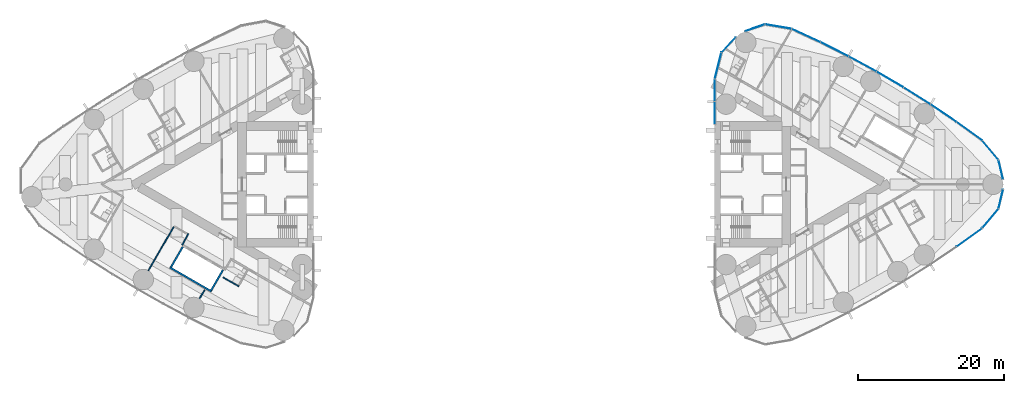
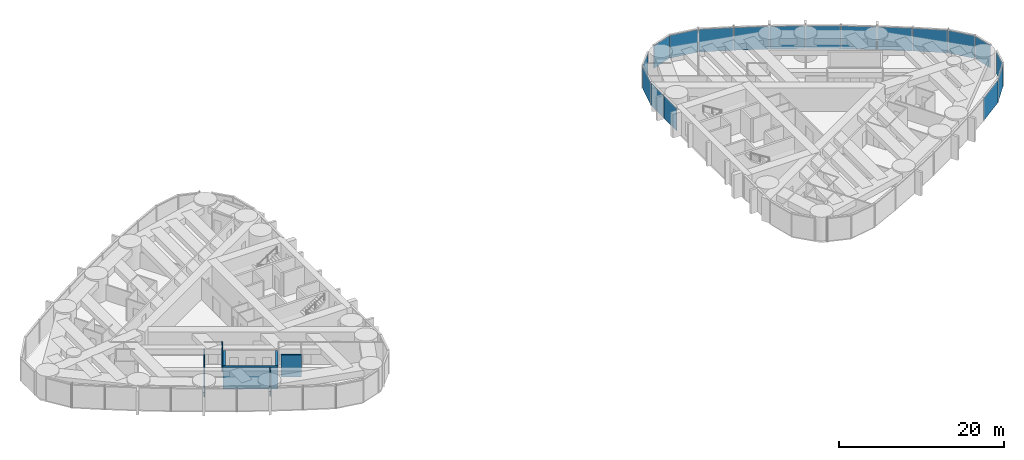
# One storey, part 11 of 19: 18 plates, 7 walls, 3 elements without a shape of their own.
"""IFC4 building model written with IfcOpenShell, lengths in metres."""

from ifc_helpers import new_model, si_unit, direction, frame, frame_2d, origin, origin_2d, place, context, subcontext, project, spatial, rectangle, extrude, material, layer, layer_set, type_object, element, aggregate, save


model = new_model("IFC4")

# Units and contexts
model_context = context("Model", 3, precision=1e-05, world=origin(), true_north=direction((0.0, 1.0)))
body_context = subcontext(model_context, "Body", "Model", "MODEL_VIEW")
ifc_project = project(units=[si_unit("LENGTHUNIT", "METRE"), si_unit("AREAUNIT", "SQUARE_METRE"), si_unit("VOLUMEUNIT", "CUBIC_METRE"), si_unit("PLANEANGLEUNIT", "RADIAN"), si_unit("MASSUNIT", "GRAM", prefix="KILO")], contexts=[model_context])

# Site, building, storey
site_placement = place(None, origin())
site = spatial("IfcSite", under=ifc_project, at=site_placement, CompositionType="ELEMENT")
building_placement = place(site_placement, origin())
building = spatial("IfcBuilding", under=site, at=building_placement, Name="Lancet Gate Hotel", CompositionType="ELEMENT")
storey_placement = place(building_placement, frame((0.0, 0.0, 170.300048828125)))
storey = spatial("IfcBuildingStorey", under=building, at=storey_placement, Name="L45", CompositionType="ELEMENT", Elevation=170.300048828125)

# Curtain wall, plates
ifc_material_1 = material(Name="Aluminium curtain wall", Category="aluminium")
curtain_wall_type = type_object("IfcCurtainWallType", Name="Tower unitised curtain wall", PredefinedType="USERDEFINED", material=ifc_material_1)
curtain_wall_1_placement = place(storey_placement, origin())
curtain_wall_1 = element("IfcCurtainWall", 1, at=curtain_wall_1_placement, inside=storey, type_object=curtain_wall_type, Name="T2 L45 curtain wall 2", ObjectType="UNITISED CURTAIN WALL", PredefinedType="USERDEFINED")
ifc_material_2 = material(Name="Glass double glazed unit 8-16-6", Category="glass")
ifc_layer_1 = layer(ifc_material_2, 0.030029296875)
ifc_layer_set_1 = layer_set([ifc_layer_1], Name="Vision panel double glazed")
plate_type = type_object("IfcPlateType", Name="Vision panel double glazed", PredefinedType="CURTAIN_PANEL", material=ifc_layer_set_1)
plate_1_placement = place(storey_placement, frame((62.417236328125, -7.279541015625, 0.0), z_axis=(0.0, 0.0, 1.0), x_axis=(0.810891442127, 0.585196607206, 0.0)))
plate_1 = element("IfcPlate", 2, at=plate_1_placement, type_object=plate_type, Name="T2 L45 curtain wall 2 panel 9", PredefinedType="CURTAIN_PANEL", context=body_context, shape_type="SweptSolid", body=[
    extrude(rectangle(XDim=4.26904296875, YDim=0.030029296875, at=origin_2d()), origin(), (0.0, 0.0, 1.0), 3.35009765625),
])
plate_2_placement = place(storey_placement, frame((65.283935546875, -4.68701171875, 0.0), z_axis=(0.0, 0.0, 1.0), x_axis=(0.642198636854, 0.766538264422, 0.0)))
plate_2 = element("IfcPlate", 3, at=plate_2_placement, type_object=plate_type, Name="T2 L45 curtain wall 2 panel 10", PredefinedType="CURTAIN_PANEL", context=body_context, shape_type="SweptSolid", body=[
    extrude(rectangle(XDim=3.390380859375, YDim=0.030029296875, at=origin_2d()), origin(), (0.0, 0.0, 1.0), 3.35009765625),
])
plate_3_placement = place(storey_placement, frame((66.710693359375, -2.0234375, 0.0), z_axis=(0.0, 0.0, 1.0), x_axis=(0.230366568544, 0.973103922558, 0.0)))
plate_3 = element("IfcPlate", 4, at=plate_3_placement, type_object=plate_type, Name="T2 L45 curtain wall 2 panel 11", PredefinedType="CURTAIN_PANEL", context=body_context, shape_type="SweptSolid", body=[
    extrude(rectangle(XDim=2.687255859375, YDim=0.030029296875, at=origin_2d()), origin(), (0.0, 0.0, 1.0), 3.35009765625),
])
aggregate(curtain_wall_1, [plate_1, plate_2, plate_3])

curtain_wall_2_placement = place(storey_placement, origin())
curtain_wall_2 = element("IfcCurtainWall", 5, at=curtain_wall_2_placement, inside=storey, type_object=curtain_wall_type, Name="T2 L45 curtain wall 3", ObjectType="UNITISED CURTAIN WALL", PredefinedType="USERDEFINED")
plate_4_placement = place(storey_placement, frame((66.710693359375, 2.0234375, 0.0), z_axis=(0.0, 0.0, 1.0), x_axis=(-0.230366568544, 0.973103922558, 0.0)))
plate_4 = element("IfcPlate", 6, at=plate_4_placement, type_object=plate_type, Name="T2 L45 curtain wall 3 panel 1", PredefinedType="CURTAIN_PANEL", context=body_context, shape_type="SweptSolid", body=[
    extrude(rectangle(XDim=2.687255859375, YDim=0.030029296875, at=origin_2d()), origin(), (0.0, 0.0, 1.0), 3.35009765625),
])
plate_5_placement = place(storey_placement, frame((65.283935546875, 4.68701171875, 0.0), z_axis=(0.0, 0.0, 1.0), x_axis=(-0.642198636854, 0.766538264422, 0.0)))
plate_5 = element("IfcPlate", 7, at=plate_5_placement, type_object=plate_type, Name="T2 L45 curtain wall 3 panel 2", PredefinedType="CURTAIN_PANEL", context=body_context, shape_type="SweptSolid", body=[
    extrude(rectangle(XDim=3.390380859375, YDim=0.030029296875, at=origin_2d()), origin(), (0.0, 0.0, 1.0), 3.35009765625),
])
plate_6_placement = place(storey_placement, frame((62.417236328125, 7.279541015625, 0.0), z_axis=(0.0, 0.0, 1.0), x_axis=(-0.810891442127, 0.585196607206, 0.0)))
plate_6 = element("IfcPlate", 8, at=plate_6_placement, type_object=plate_type, Name="T2 L45 curtain wall 3 panel 3", PredefinedType="CURTAIN_PANEL", context=body_context, shape_type="SweptSolid", body=[
    extrude(rectangle(XDim=4.26904296875, YDim=0.030029296875, at=origin_2d()), origin(), (0.0, 0.0, 1.0), 3.35009765625),
])
plate_7_placement = place(storey_placement, frame((58.863525390625, 9.75927734375, 0.0), z_axis=(0.0, 0.0, 1.0), x_axis=(-0.829038793948, 0.559191092677, 0.0)))
plate_7 = element("IfcPlate", 9, at=plate_7_placement, type_object=plate_type, Name="T2 L45 curtain wall 3 panel 4", PredefinedType="CURTAIN_PANEL", context=body_context, shape_type="SweptSolid", body=[
    extrude(rectangle(XDim=4.26904296875, YDim=0.030029296875, at=origin_2d()), origin(), (0.0, 0.0, 1.0), 3.35009765625),
])
plate_8_placement = place(storey_placement, frame((55.233154296875, 12.125244140625, 0.0), z_axis=(0.0, 0.0, 1.0), x_axis=(-0.846352453444, 0.532623248225, 0.0)))
plate_8 = element("IfcPlate", 10, at=plate_8_placement, type_object=plate_type, Name="T2 L45 curtain wall 3 panel 5", PredefinedType="CURTAIN_PANEL", context=body_context, shape_type="SweptSolid", body=[
    extrude(rectangle(XDim=4.26904296875, YDim=0.030029296875, at=origin_2d()), origin(), (0.0, 0.0, 1.0), 3.35009765625),
])
plate_9_placement = place(storey_placement, frame((51.529296875, 14.374755859375, 0.0), z_axis=(0.0, 0.0, 1.0), x_axis=(-0.862815009772, 0.505519790822, 0.0)))
plate_9 = element("IfcPlate", 11, at=plate_9_placement, type_object=plate_type, Name="T2 L45 curtain wall 3 panel 6", PredefinedType="CURTAIN_PANEL", context=body_context, shape_type="SweptSolid", body=[
    extrude(rectangle(XDim=4.26904296875, YDim=0.030029296875, at=origin_2d()), origin(), (0.0, 0.0, 1.0), 3.35009765625),
])
plate_10_placement = place(storey_placement, frame((47.756103515625, 16.505859375, 0.0), z_axis=(0.0, 0.0, 1.0), x_axis=(-0.878409907967, 0.477907976063, 0.0)))
plate_10 = element("IfcPlate", 12, at=plate_10_placement, type_object=plate_type, Name="T2 L45 curtain wall 3 panel 7", PredefinedType="CURTAIN_PANEL", context=body_context, shape_type="SweptSolid", body=[
    extrude(rectangle(XDim=4.26904296875, YDim=0.030029296875, at=origin_2d()), origin(), (0.0, 0.0, 1.0), 3.35009765625),
])
plate_11_placement = place(storey_placement, frame((43.917236328125, 18.516357421875, 0.0), z_axis=(0.0, 0.0, 1.0), x_axis=(-0.893121465596, 0.449815570752, 0.0)))
plate_11 = element("IfcPlate", 13, at=plate_11_placement, type_object=plate_type, Name="T2 L45 curtain wall 3 panel 8", PredefinedType="CURTAIN_PANEL", context=body_context, shape_type="SweptSolid", body=[
    extrude(rectangle(XDim=4.26904296875, YDim=0.030029296875, at=origin_2d()), origin(), (0.0, 0.0, 1.0), 3.35009765625),
])
plate_12_placement = place(storey_placement, frame((40.0166015625, 20.40380859375, 0.0), z_axis=(0.0, 0.0, 1.0), x_axis=(-0.906934888522, 0.421270824982, 0.0)))
plate_12 = element("IfcPlate", 14, at=plate_12_placement, type_object=plate_type, Name="T2 L45 curtain wall 3 panel 9", PredefinedType="CURTAIN_PANEL", context=body_context, shape_type="SweptSolid", body=[
    extrude(rectangle(XDim=4.26904296875, YDim=0.030029296875, at=origin_2d()), origin(), (0.0, 0.0, 1.0), 3.35009765625),
])
plate_13_placement = place(storey_placement, frame((36.231689453125, 21.629638671875, 0.0), z_axis=(0.0, 0.0, 1.0), x_axis=(-0.985539649572, 0.169444973729, 0.0)))
plate_13 = element("IfcPlate", 15, at=plate_13_placement, type_object=plate_type, Name="T2 L45 curtain wall 3 panel 10", PredefinedType="CURTAIN_PANEL", context=body_context, shape_type="SweptSolid", body=[
    extrude(rectangle(XDim=3.62744140625, YDim=0.030029296875, at=origin_2d()), origin(), (0.0, 0.0, 1.0), 3.35009765625),
])
plate_14_placement = place(storey_placement, frame((33.02197265625, 21.470703125, 0.0), z_axis=(0.0, 0.0, 1.0), x_axis=(-0.946952368511, -0.321373943827, 0.0)))
plate_14 = element("IfcPlate", 16, at=plate_14_placement, type_object=plate_type, Name="T2 L45 curtain wall 3 panel 11", PredefinedType="CURTAIN_PANEL", context=body_context, shape_type="SweptSolid", body=[
    extrude(rectangle(XDim=2.871337890625, YDim=0.030029296875, at=origin_2d()), origin(), (0.0, 0.0, 1.0), 3.35009765625),
])
aggregate(curtain_wall_2, [plate_4, plate_5, plate_6, plate_7, plate_8, plate_9, plate_10, plate_11, plate_12, plate_13, plate_14])

curtain_wall_3_placement = place(storey_placement, origin())
curtain_wall_3 = element("IfcCurtainWall", 17, at=curtain_wall_3_placement, inside=storey, type_object=curtain_wall_type, Name="T2 L45 curtain wall 4", ObjectType="UNITISED CURTAIN WALL", PredefinedType="USERDEFINED")
plate_15_placement = place(storey_placement, frame((29.4052734375, 19.122314453125, 0.0), z_axis=(0.0, 0.0, 1.0), x_axis=(-0.67883123083, -0.734294327943, 0.0)))
plate_15 = element("IfcPlate", 18, at=plate_15_placement, type_object=plate_type, Name="T2 L45 curtain wall 4 panel 1", PredefinedType="CURTAIN_PANEL", context=body_context, shape_type="SweptSolid", body=[
    extrude(rectangle(XDim=2.87060546875, YDim=0.030029296875, at=origin_2d()), origin(), (0.0, 0.0, 1.0), 3.35009765625),
])
plate_16_placement = place(storey_placement, frame((27.95458984375, 16.2548828125, 0.0), z_axis=(0.0, 0.0, 1.0), x_axis=(-0.246166705764, -0.969227503207, 0.0)))
plate_16 = element("IfcPlate", 19, at=plate_16_placement, type_object=plate_type, Name="T2 L45 curtain wall 4 panel 2", PredefinedType="CURTAIN_PANEL", context=body_context, shape_type="SweptSolid", body=[
    extrude(rectangle(XDim=3.62744140625, YDim=0.030029296875, at=origin_2d()), origin(), (0.0, 0.0, 1.0), 3.35009765625),
])
plate_17_placement = place(storey_placement, frame((27.5, 12.899169921875, 0.0), z_axis=(0.0, 0.0, 1.0), x_axis=(0.0, -1.0, 0.0)))
plate_17 = element("IfcPlate", 20, at=plate_17_placement, type_object=plate_type, Name="T2 L45 curtain wall 4 panel 3", PredefinedType="CURTAIN_PANEL", context=body_context, shape_type="SweptSolid", body=[
    extrude(rectangle(XDim=3.06787109375, YDim=0.030029296875, at=origin_2d()), origin(), (0.0, 0.0, 1.0), 3.35009765625),
])
plate_18_placement = place(storey_placement, frame((27.5, 9.766357421875, 0.0), z_axis=(0.0, 0.0, 1.0), x_axis=(0.0, -1.0, 0.0)))
plate_18 = element("IfcPlate", 21, at=plate_18_placement, type_object=plate_type, Name="T2 L45 curtain wall 4 panel 4", PredefinedType="CURTAIN_PANEL", context=body_context, shape_type="SweptSolid", body=[
    extrude(rectangle(XDim=3.06787109375, YDim=0.030029296875, at=origin_2d()), origin(), (0.0, 0.0, 1.0), 3.35009765625),
])
aggregate(curtain_wall_3, [plate_15, plate_16, plate_17, plate_18])

# Walls
ifc_material_3 = material(Name="Moisture resistant board partition")
ifc_layer_2 = layer(ifc_material_3, 0.14990234375)
ifc_layer_set_2 = layer_set([ifc_layer_2], Name="Bathroom wall 150")
wall_type_1 = type_object("IfcWallType", Name="Bathroom wall 150", PredefinedType="PARTITIONING", material=ifc_layer_set_2)
wall_1_placement = place(storey_placement, frame((-37.738037109375, -13.9892578125, 0.0), z_axis=(0.0, 0.0, 1.0), x_axis=(-0.86604923931, 0.499958713387, 0.0)))
element("IfcWall", 22, at=wall_1_placement, inside=storey, type_object=wall_type_1, Name="T1 bathroom wall 150 L45", PredefinedType="PARTITIONING", context=body_context, shape_type="SweptSolid", body=[
    extrude(rectangle(XDim=2.474853515625, YDim=0.14990234375, at=frame_2d((1.2373046875, 0.0))), origin(), (0.0, 0.0, 1.0), 3.25),
])
ifc_material_4 = material(Name="Gypsum board partition")
ifc_layer_3 = layer(ifc_material_4, 0.25)
ifc_layer_set_3 = layer_set([ifc_layer_3], Name="Lift shaft partition 250")
wall_type_2 = type_object("IfcWallType", Name="Lift shaft partition 250", PredefinedType="PARTITIONING", material=ifc_layer_set_3)
wall_2_placement = place(storey_placement, frame((-41.482421875, -14.685791015625, 0.0), z_axis=(0.0, 0.0, 1.0), x_axis=(-0.86603344179, 0.499986077507, 0.0)))
element("IfcWall", 23, at=wall_2_placement, inside=storey, type_object=wall_type_2, Name="T1 lift shaft wall HL L45", PredefinedType="PARTITIONING", context=body_context, shape_type="SweptSolid", body=[
    extrude(rectangle(XDim=6.600341796875, YDim=0.25, at=frame_2d((3.30029296875, 0.0))), origin(), (0.0, 0.0, 1.0), 3.25),
])
for number, where, z_axis, x_axis, name in (
    (24, (-39.92822265625, -11.742919921875, 0.0), (0.0, 0.0, 1.0), (-0.499929347863, -0.866066190972, 0.0), "T1 lift shaft wall HL L45"),
    (25, (-45.427734375, -8.568115234375, 0.0), (0.0, 0.0, 1.0), (-0.499929347863, -0.866066190972, 0.0), "T1 lift shaft wall HL L45"),
):
    element("IfcWall", number, at=place(storey_placement, frame(where, z_axis=z_axis, x_axis=x_axis)), inside=storey, type_object=wall_type_2, Name=name, PredefinedType="PARTITIONING", context=body_context, shape_type="SweptSolid", body=[
        extrude(rectangle(XDim=3.20068359375, YDim=0.25, at=frame_2d((1.600341796875, 0.0))), origin(), (0.0, 0.0, 1.0), 3.25),
    ])
ifc_material_5 = material(Name="Gypsum board partition")
ifc_layer_4 = layer(ifc_material_5, 0.14990234375)
ifc_layer_set_4 = layer_set([ifc_layer_4], Name="Party wall 150")
wall_type_3 = type_object("IfcWallType", Name="Party wall 150", PredefinedType="PARTITIONING", material=ifc_layer_set_4)
wall_3_placement = place(storey_placement, frame((-46.6787109375, -5.8251953125, 0.0), z_axis=(0.0, 0.0, 1.0), x_axis=(-0.500006839597, -0.866021454905, 0.0)))
element("IfcWall", 26, at=wall_3_placement, inside=storey, type_object=wall_type_3, Name="T1 party wall 150 L45", PredefinedType="PARTITIONING", context=body_context, shape_type="SweptSolid", body=[
    extrude(rectangle(XDim=6.9111328125, YDim=0.14990234375, at=frame_2d((3.45556640625, 0.0))), origin(), (0.0, 0.0, 1.0), 2.300048828125),
])
wall_4_placement = place(storey_placement, frame((-42.429443359375, -14.45654296875, 0.0), z_axis=(0.0, 0.0, 1.0), x_axis=(-0.5000578829, -0.865991982497, 0.0)))
element("IfcWall", 27, at=wall_4_placement, inside=storey, type_object=wall_type_3, Name="T1 party wall 150 L45", PredefinedType="PARTITIONING", context=body_context, shape_type="SweptSolid", body=[
    extrude(rectangle(XDim=1.406982421875, YDim=0.14990234375, at=frame_2d((0.70361328125, 0.0))), origin(), (0.0, 0.0, 1.0), 3.25),
])
ifc_material_6 = material(Name="Gypsum board partition")
ifc_layer_5 = layer(ifc_material_6, 0.14990234375)
ifc_layer_set_5 = layer_set([ifc_layer_5], Name="Service room wall 150")
wall_type_4 = type_object("IfcWallType", Name="Service room wall 150", PredefinedType="PARTITIONING", material=ifc_layer_set_5)
wall_5_placement = place(storey_placement, frame((-44.652099609375, -6.764404296875, 0.0), z_axis=(0.0, 0.0, 1.0), x_axis=(-0.485424724123, -0.874278466629, 0.0)))
element("IfcWall", 28, at=wall_5_placement, inside=storey, type_object=wall_type_4, Name="T1 service room wall 150 L45", PredefinedType="PARTITIONING", context=body_context, shape_type="SweptSolid", body=[
    extrude(rectangle(XDim=1.80517578125, YDim=0.14990234375, at=frame_2d((0.902587890625, 0.0))), origin(), (0.0, 0.0, 1.0), 3.25),
])

save(model, "model.ifc")
